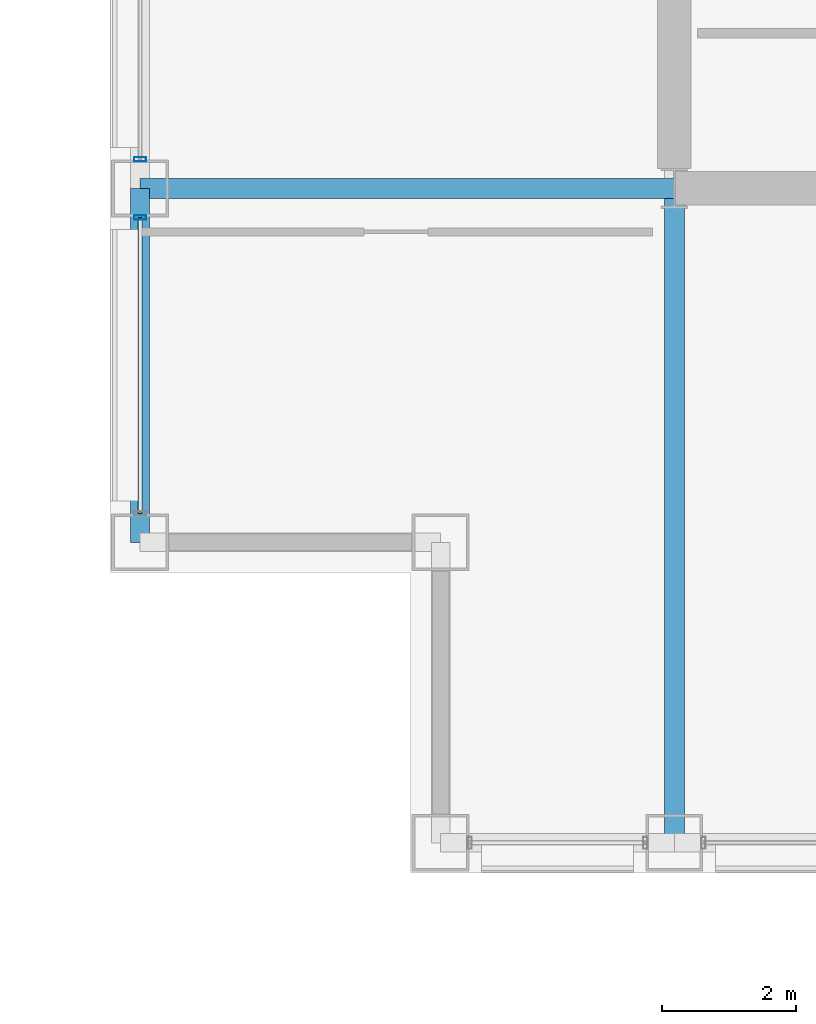
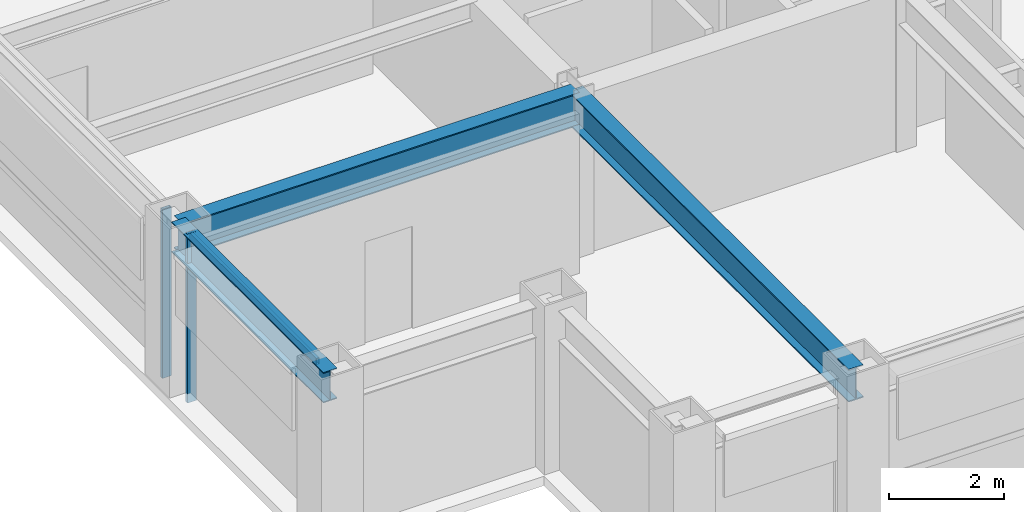
# One storey, part 3 of 29: 3 beams, 3 members, 2 elements without a shape of their own.
"""IFC4 building model written with IfcOpenShell, lengths in metres."""

from ifc_helpers import new_model, si_unit, direction, frame, origin, origin_2d, place, context, subcontext, project, spatial, hollow_rectangle, i_section, extrude, material, layer, layer_set, material_profile, profile_set, type_object, element, aggregate, save


model = new_model("IFC4")

# Units and contexts
model_context = context("Model", 3, precision=1e-05, world=origin(), true_north=direction((0.0, 1.0)))
body_context = subcontext(model_context, "Body", "Model", "MODEL_VIEW")
ifc_project = project(units=[si_unit("LENGTHUNIT", "METRE"), si_unit("AREAUNIT", "SQUARE_METRE"), si_unit("VOLUMEUNIT", "CUBIC_METRE"), si_unit("PLANEANGLEUNIT", "RADIAN"), si_unit("MASSUNIT", "GRAM", prefix="KILO")], contexts=[model_context])

# Site, building, storey
site_placement = place(None, origin())
site = spatial("IfcSite", under=ifc_project, at=site_placement, CompositionType="ELEMENT")
building_placement = place(site_placement, origin())
building = spatial("IfcBuilding", under=site, at=building_placement, Name="Brelmoor Portico Tower", CompositionType="ELEMENT")
storey_placement = place(building_placement, frame((0.0, 0.0, 95.39990234375)))
storey = spatial("IfcBuildingStorey", under=building, at=storey_placement, Name="L24", CompositionType="ELEMENT", Elevation=95.39990234375)

# Beams
ifc_material_1 = material(Name="Steel Q355B", Category="steel")
ifc_material_profile_1 = material_profile(ifc_material_1, i_section(OverallWidth=0.300048828125, OverallDepth=0.699951171875, WebThickness=0.012939453125, FlangeThickness=0.02392578125, at=origin_2d()), Name="HN 700x300x13x24")
ifc_profile_set_1 = profile_set([ifc_material_profile_1], Name="Steel Q355B")
beam_type_1 = type_object("IfcBeamType", Name="BM-PG-700", PredefinedType="BEAM", material=ifc_profile_set_1)
beam_1_placement = place(storey_placement, frame((-14.550048828125, -19.550048828125, 3.050048828125), z_axis=(0.0, 1.0, 0.0), x_axis=(-1.0, 0.0, 0.0)))
element("IfcBeam", 1, at=beam_1_placement, inside=storey, type_object=beam_type_1, Name="L24 Primary Floor Girder PG-01", PredefinedType="BEAM", context=body_context, shape_type="SweptSolid", body=[
    extrude(i_section(OverallWidth=0.300048828125, OverallDepth=0.699951171875, WebThickness=0.012939453125, FlangeThickness=0.02392578125, at=origin_2d()), origin(), (0.0, 0.0, 1.0), 9.800048828125),
])
beam_2_placement = place(storey_placement, frame((-22.550048828125, -9.75, 3.050048828125), z_axis=(1.0, 0.0, 0.0), x_axis=(0.0, 1.0, 0.0)))
element("IfcBeam", 2, at=beam_2_placement, inside=storey, type_object=beam_type_1, Name="L24 Primary Floor Girder PG-14", PredefinedType="BEAM", context=body_context, shape_type="SweptSolid", body=[
    extrude(i_section(OverallWidth=0.300048828125, OverallDepth=0.699951171875, WebThickness=0.012939453125, FlangeThickness=0.02392578125, at=origin_2d()), origin(), (0.0, 0.0, 1.0), 8.0),
])
ifc_material_profile_2 = material_profile(ifc_material_1, i_section(OverallWidth=0.280029296875, OverallDepth=0.64990234375, WebThickness=0.012939453125, FlangeThickness=0.02197265625, at=origin_2d()), Name="HN 650x280x13x22")
ifc_profile_set_2 = profile_set([ifc_material_profile_2], Name="Steel Q355B")
beam_type_2 = type_object("IfcBeamType", Name="BM-SP-650", PredefinedType="SPANDREL", material=ifc_profile_set_2)
beam_3_placement = place(storey_placement, frame((-22.550048828125, -15.050048828125, 3.0751953125), z_axis=(0.0, 1.0, 0.0), x_axis=(-1.0, 0.0, 0.0)))
element("IfcBeam", 3, at=beam_3_placement, inside=storey, type_object=beam_type_2, Name="L24 Perimeter Spandrel Beam SP-15", PredefinedType="SPANDREL", context=body_context, shape_type="SweptSolid", body=[
    extrude(i_section(OverallWidth=0.280029296875, OverallDepth=0.64990234375, WebThickness=0.012939453125, FlangeThickness=0.02197265625, at=origin_2d()), origin(), (0.0, 0.0, 1.0), 5.300048828125),
])

# Curtain wall, member
ifc_material_2 = material(Name="Anodised Aluminium Alloy 6063-T6", Category="aluminium")
ifc_layer_1 = layer(ifc_material_2, 0.179931640625)
ifc_layer_set_1 = layer_set([ifc_layer_1], Name="Anodised Aluminium Alloy 6063-T6")
curtain_wall_type_1 = type_object("IfcCurtainWallType", Name="CW-TOWER-Z2-XB", PredefinedType="NOTDEFINED", material=ifc_layer_set_1)
curtain_wall_1_placement = place(storey_placement, origin())
curtain_wall_1 = element("IfcCurtainWall", 4, at=curtain_wall_1_placement, inside=storey, type_object=curtain_wall_type_1, Name="L24 Curtain Wall CW-L24-3L-1", PredefinedType="NOTDEFINED")
ifc_material_profile_3 = material_profile(ifc_material_2, hollow_rectangle(XDim=0.06494140625, YDim=0.179931640625, WallThickness=0.00390625, at=origin_2d()), Name="ALU MULLION 65x180")
ifc_profile_set_3 = profile_set([ifc_material_profile_3], Name="Anodised Aluminium Alloy 6063-T6")
member_type_1 = type_object("IfcMemberType", Name="MB-CW-MULL-180", PredefinedType="MULLION", material=ifc_profile_set_3)
member_1_placement = place(storey_placement, frame((-22.550048828125, -10.18505859375, -0.199951171875), z_axis=(0.0, 0.0, 1.0), x_axis=(0.0, 1.0, 0.0)))
member_1 = element("IfcMember", 5, at=member_1_placement, type_object=member_type_1, Name="CW-L24-3L-1 Mullion 01", PredefinedType="MULLION", context=body_context, shape_type="SweptSolid", body=[
    extrude(hollow_rectangle(XDim=0.06494140625, YDim=0.179931640625, WallThickness=0.00390625, at=origin_2d()), origin(), (0.0, 0.0, 1.0), 3.60009765625),
])

ifc_layer_2 = layer(ifc_material_2, 0.179931640625)
ifc_layer_set_2 = layer_set([ifc_layer_2], Name="Anodised Aluminium Alloy 6063-T6")
curtain_wall_type_2 = type_object("IfcCurtainWallType", Name="CW-TOWER-Z2", PredefinedType="NOTDEFINED", material=ifc_layer_set_2)
curtain_wall_2_placement = place(storey_placement, origin())
curtain_wall_2 = element("IfcCurtainWall", 6, at=curtain_wall_2_placement, inside=storey, type_object=curtain_wall_type_2, Name="L24 Curtain Wall CW-L24-3L-2", PredefinedType="NOTDEFINED")
member_2_placement = place(storey_placement, frame((-22.550048828125, -9.31494140625, -0.199951171875), z_axis=(0.0, 0.0, 1.0), x_axis=(0.0, 1.0, 0.0)))
member_2 = element("IfcMember", 7, at=member_2_placement, type_object=member_type_1, Name="CW-L24-3L-2 Mullion 00", PredefinedType="MULLION", context=body_context, shape_type="SweptSolid", body=[
    extrude(hollow_rectangle(XDim=0.06494140625, YDim=0.179931640625, WallThickness=0.00390625, at=origin_2d()), origin(), (0.0, 0.0, 1.0), 3.60009765625),
])
aggregate(curtain_wall_2, [member_2])

# Member
ifc_material_profile_4 = material_profile(ifc_material_2, hollow_rectangle(XDim=0.06494140625, YDim=0.139892578125, WallThickness=0.00390625, at=origin_2d()), Name="ALU TRANSOM 65x140")
ifc_profile_set_4 = profile_set([ifc_material_profile_4], Name="Anodised Aluminium Alloy 6063-T6")
member_type_2 = type_object("IfcMemberType", Name="MB-CW-TRAN-140", PredefinedType="USERDEFINED", material=ifc_profile_set_4)
member_3_placement = place(storey_placement, frame((-22.550048828125, -14.614990234375, 3.330078125), z_axis=(0.0, 1.0, 0.0), x_axis=(-1.0, 0.0, 0.0)))
member_3 = element("IfcMember", 8, at=member_3_placement, type_object=member_type_2, Name="CW-L24-3L-1 Transom 1-00", ObjectType="TRANSOM", PredefinedType="USERDEFINED", context=body_context, shape_type="SweptSolid", body=[
    extrude(hollow_rectangle(XDim=0.06494140625, YDim=0.139892578125, WallThickness=0.00390625, at=origin_2d()), origin(), (0.0, 0.0, 1.0), 4.429931640625),
])

aggregate(curtain_wall_1, [member_1, member_3])

save(model, "model.ifc")
